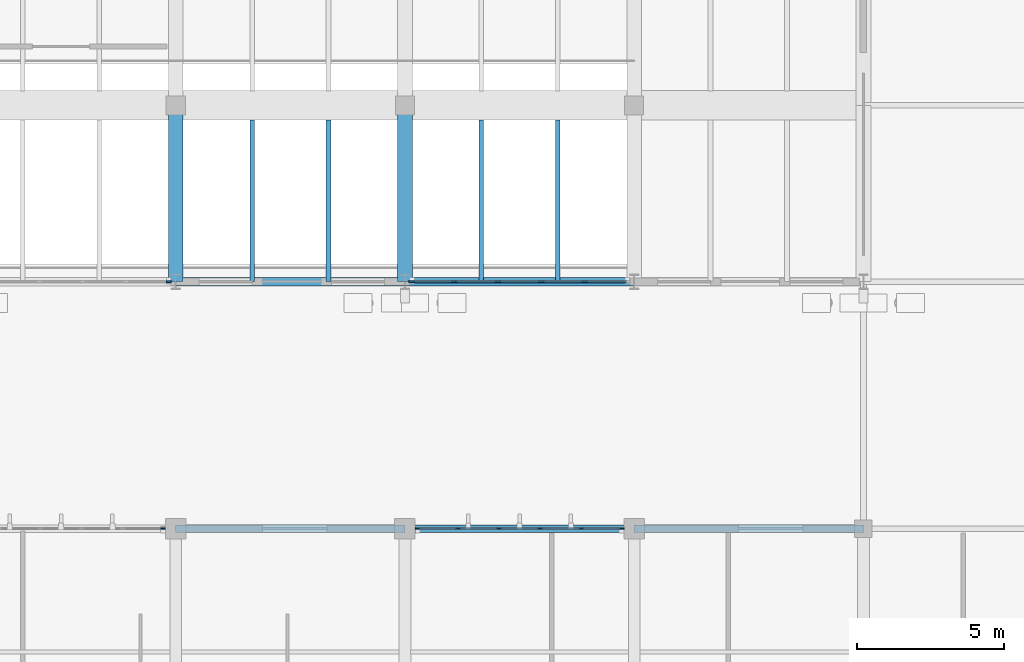
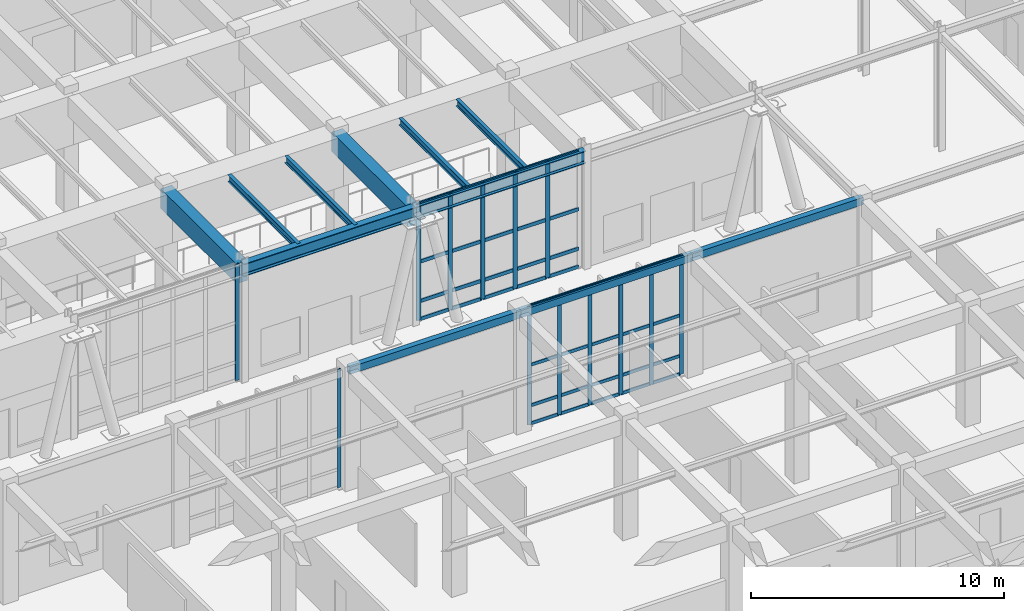
# One storey, part 23 of 110: 53 members, 11 beams, 4 elements without a shape of their own.
"""IFC4 building model written with IfcOpenShell, lengths in metres."""

from ifc_helpers import new_model, si_unit, direction, frame, origin, origin_2d, place, context, subcontext, project, spatial, rectangle, hollow_rectangle, i_section, extrude, material, material_profile, profile_set, type_object, element, aggregate, save


model = new_model("IFC4")

# Units and contexts
model_context = context("Model", 3, precision=1e-05, world=origin(), true_north=direction((0.0, 1.0)))
body_context = subcontext(model_context, "Body", "Model", "MODEL_VIEW")
ifc_project = project(units=[si_unit("LENGTHUNIT", "METRE"), si_unit("AREAUNIT", "SQUARE_METRE"), si_unit("VOLUMEUNIT", "CUBIC_METRE"), si_unit("PLANEANGLEUNIT", "RADIAN"), si_unit("MASSUNIT", "GRAM", prefix="KILO")], contexts=[model_context])

# Site, building, storey
site_placement = place(None, origin())
site = spatial("IfcSite", under=ifc_project, at=site_placement, CompositionType="ELEMENT")
building_placement = place(site_placement, origin())
building = spatial("IfcBuilding", under=site, at=building_placement, Name="Tizgana Railside Sports Hall", CompositionType="ELEMENT")
storey_placement = place(building_placement, origin())
storey = spatial("IfcBuildingStorey", under=building, at=storey_placement, Name="L00", CompositionType="ELEMENT", Elevation=0.0)

# Beams
ifc_material_1 = material(Name="Concrete C40/50", Category="concrete")
ifc_material_profile_1 = material_profile(ifc_material_1, rectangle(XDim=0.5, YDim=0.949951171875, at=origin_2d()), Name="RCB 500x950")
ifc_profile_set_1 = profile_set([ifc_material_profile_1], Name="Concrete C40/50")
beam_type_1 = type_object("IfcBeamType", Name="Concrete Beam RCB 500x950", PredefinedType="BEAM", material=ifc_profile_set_1)
for number, where, z_axis, x_axis, name in (
    (1, (31.199951171875, 40.800048828125, 5.160888671875), (0.0, 1.0, 0.0), (-1.0, 0.0, 0.0), "L00 BEM-0155"),
    (2, (39.0, 40.800048828125, 5.160888671875), (0.0, 1.0, 0.0), (-1.0, 0.0, 0.0), "L00 BEM-0161"),
):
    element("IfcBeam", number, at=place(storey_placement, frame(where, z_axis=z_axis, x_axis=x_axis)), inside=storey, type_object=beam_type_1, Name=name, PredefinedType="BEAM", context=body_context, shape_type="SweptSolid", body=[
        extrude(rectangle(XDim=0.5, YDim=0.949951171875, at=origin_2d()), origin(), (0.0, 0.0, 1.0), 6.0),
    ])

# Curtain wall, member
ifc_material_2 = material(Name="Anodised aluminium and glass", Category="aluminium")
curtain_wall_type_1 = type_object("IfcCurtainWallType", Name="Unitised Curtain Wall EastHall 1500", PredefinedType="NOTDEFINED", material=ifc_material_2)
curtain_wall_1_placement = place(storey_placement, origin())
curtain_wall_1 = element("IfcCurtainWall", 3, at=curtain_wall_1_placement, inside=storey, type_object=curtain_wall_type_1, Name="L00 Curtain Wall CW-0079", PredefinedType="NOTDEFINED")
ifc_material_3 = material(Name="Anodised aluminium", Category="aluminium")
ifc_material_profile_2 = material_profile(ifc_material_3, rectangle(XDim=0.06005859375, YDim=0.159912109375, at=origin_2d()), Name="Mullion 60x160")
ifc_profile_set_2 = profile_set([ifc_material_profile_2], Name="Anodised aluminium")
member_type_1 = type_object("IfcMemberType", Name="Mullion 60x160", PredefinedType="MULLION", material=ifc_profile_set_2)
member_1_placement = place(storey_placement, frame((30.764892578125, 32.39990234375, 0.044921875), z_axis=(0.0, 0.0, 1.0), x_axis=(0.0, 1.0, 0.0)))
member_1 = element("IfcMember", 4, at=member_1_placement, type_object=member_type_1, Name="CW-08 mullion 6", PredefinedType="MULLION", context=body_context, shape_type="SweptSolid", body=[
    extrude(rectangle(XDim=0.06005859375, YDim=0.159912109375, at=origin_2d()), origin(), (0.0, 0.0, 1.0), 5.705078125),
])
aggregate(curtain_wall_1, [member_1])

curtain_wall_type_2 = type_object("IfcCurtainWallType", Name="Unitised Curtain Wall Studio 1400", PredefinedType="NOTDEFINED", material=ifc_material_2)
curtain_wall_2_placement = place(storey_placement, origin())
curtain_wall_2 = element("IfcCurtainWall", 5, at=curtain_wall_2_placement, inside=storey, type_object=curtain_wall_type_2, Name="L00 Curtain Wall CW-0002", PredefinedType="NOTDEFINED")
ifc_material_profile_3 = material_profile(ifc_material_3, rectangle(XDim=0.06005859375, YDim=0.179931640625, at=origin_2d()), Name="Mullion 60x180")
ifc_profile_set_3 = profile_set([ifc_material_profile_3], Name="Anodised aluminium")
member_type_2 = type_object("IfcMemberType", Name="Mullion 60x180", PredefinedType="MULLION", material=ifc_profile_set_3)
member_2_placement = place(storey_placement, frame((30.965087890625, 40.800048828125, 0.044921875), z_axis=(0.0, 0.0, 1.0), x_axis=(0.0, -1.0, 0.0)))
member_2 = element("IfcMember", 6, at=member_2_placement, type_object=member_type_2, Name="CW-03 mullion 1", PredefinedType="MULLION", context=body_context, shape_type="SweptSolid", body=[
    extrude(rectangle(XDim=0.06005859375, YDim=0.179931640625, at=origin_2d()), origin(), (0.0, 0.0, 1.0), 5.60498046875),
])
aggregate(curtain_wall_2, [member_2])

# Curtain wall, members
curtain_wall_type_3 = type_object("IfcCurtainWallType", Name="Unitised Curtain Wall Concourse 1500", PredefinedType="NOTDEFINED", material=ifc_material_2)
curtain_wall_3_placement = place(storey_placement, origin())
curtain_wall_3 = element("IfcCurtainWall", 7, at=curtain_wall_3_placement, inside=storey, type_object=curtain_wall_type_3, Name="L00 Curtain Wall CW-0080", PredefinedType="NOTDEFINED")
member_3_placement = place(storey_placement, frame((39.43505859375, 32.39990234375, 0.044921875), z_axis=(0.0, 0.0, 1.0), x_axis=(0.0, 1.0, 0.0)))
member_3 = element("IfcMember", 8, at=member_3_placement, type_object=member_type_2, Name="CW-01 mullion 1", PredefinedType="MULLION", context=body_context, shape_type="SweptSolid", body=[
    extrude(rectangle(XDim=0.06005859375, YDim=0.179931640625, at=origin_2d()), origin(), (0.0, 0.0, 1.0), 5.705078125),
])
member_4_placement = place(storey_placement, frame((40.802978515625, 32.39990234375, 0.044921875), z_axis=(0.0, 0.0, 1.0), x_axis=(0.0, 1.0, 0.0)))
member_4 = element("IfcMember", 9, at=member_4_placement, type_object=member_type_2, Name="CW-01 mullion 2", PredefinedType="MULLION", context=body_context, shape_type="SweptSolid", body=[
    extrude(rectangle(XDim=0.06005859375, YDim=0.179931640625, at=origin_2d()), origin(), (0.0, 0.0, 1.0), 5.705078125),
])
member_5_placement = place(storey_placement, frame((42.200927734375, 32.39990234375, 0.044921875), z_axis=(0.0, 0.0, 1.0), x_axis=(0.0, 1.0, 0.0)))
member_5 = element("IfcMember", 10, at=member_5_placement, type_object=member_type_2, Name="CW-01 mullion 3", PredefinedType="MULLION", context=body_context, shape_type="SweptSolid", body=[
    extrude(rectangle(XDim=0.06005859375, YDim=0.179931640625, at=origin_2d()), origin(), (0.0, 0.0, 1.0), 5.705078125),
])
member_6_placement = place(storey_placement, frame((43.59912109375, 32.39990234375, 0.044921875), z_axis=(0.0, 0.0, 1.0), x_axis=(0.0, 1.0, 0.0)))
member_6 = element("IfcMember", 11, at=member_6_placement, type_object=member_type_2, Name="CW-01 mullion 4", PredefinedType="MULLION", context=body_context, shape_type="SweptSolid", body=[
    extrude(rectangle(XDim=0.06005859375, YDim=0.179931640625, at=origin_2d()), origin(), (0.0, 0.0, 1.0), 5.705078125),
])
member_7_placement = place(storey_placement, frame((44.9970703125, 32.39990234375, 0.044921875), z_axis=(0.0, 0.0, 1.0), x_axis=(0.0, 1.0, 0.0)))
member_7 = element("IfcMember", 12, at=member_7_placement, type_object=member_type_2, Name="CW-01 mullion 5", PredefinedType="MULLION", context=body_context, shape_type="SweptSolid", body=[
    extrude(rectangle(XDim=0.06005859375, YDim=0.179931640625, at=origin_2d()), origin(), (0.0, 0.0, 1.0), 5.705078125),
])
member_8_placement = place(storey_placement, frame((46.364990234375, 32.39990234375, 0.044921875), z_axis=(0.0, 0.0, 1.0), x_axis=(0.0, 1.0, 0.0)))
member_8 = element("IfcMember", 13, at=member_8_placement, type_object=member_type_2, Name="CW-01 mullion 6", PredefinedType="MULLION", context=body_context, shape_type="SweptSolid", body=[
    extrude(rectangle(XDim=0.06005859375, YDim=0.179931640625, at=origin_2d()), origin(), (0.0, 0.0, 1.0), 5.705078125),
])

curtain_wall_type_4 = type_object("IfcCurtainWallType", Name="Unitised Curtain Wall Climbing 1600", PredefinedType="NOTDEFINED", material=ifc_material_2)
curtain_wall_4_placement = place(storey_placement, origin())
curtain_wall_4 = element("IfcCurtainWall", 14, at=curtain_wall_4_placement, inside=storey, type_object=curtain_wall_type_4, Name="L00 Curtain Wall CW-0003", PredefinedType="NOTDEFINED")
ifc_material_profile_4 = material_profile(ifc_material_3, rectangle(XDim=0.06494140625, YDim=0.199951171875, at=origin_2d()), Name="Mullion 65x200")
ifc_profile_set_4 = profile_set([ifc_material_profile_4], Name="Anodised aluminium")
member_type_3 = type_object("IfcMemberType", Name="Mullion 65x200", PredefinedType="MULLION", material=ifc_profile_set_4)
member_9_placement = place(storey_placement, frame((45.116943359375, 40.800048828125, 0.044921875), z_axis=(0.0, 0.0, 1.0), x_axis=(0.0, -1.0, 0.0)))
member_9 = element("IfcMember", 15, at=member_9_placement, type_object=member_type_3, Name="CW-04 mullion 2", PredefinedType="MULLION", context=body_context, shape_type="SweptSolid", body=[
    extrude(rectangle(XDim=0.06494140625, YDim=0.199951171875, at=origin_2d()), origin(), (0.0, 0.0, 1.0), 5.60498046875),
])
member_10_placement = place(storey_placement, frame((43.638916015625, 40.800048828125, 0.044921875), z_axis=(0.0, 0.0, 1.0), x_axis=(0.0, -1.0, 0.0)))
member_10 = element("IfcMember", 16, at=member_10_placement, type_object=member_type_3, Name="CW-04 mullion 3", PredefinedType="MULLION", context=body_context, shape_type="SweptSolid", body=[
    extrude(rectangle(XDim=0.06494140625, YDim=0.199951171875, at=origin_2d()), origin(), (0.0, 0.0, 1.0), 5.60498046875),
])
member_11_placement = place(storey_placement, frame((42.160888671875, 40.800048828125, 0.044921875), z_axis=(0.0, 0.0, 1.0), x_axis=(0.0, -1.0, 0.0)))
member_11 = element("IfcMember", 17, at=member_11_placement, type_object=member_type_3, Name="CW-04 mullion 4", PredefinedType="MULLION", context=body_context, shape_type="SweptSolid", body=[
    extrude(rectangle(XDim=0.06494140625, YDim=0.199951171875, at=origin_2d()), origin(), (0.0, 0.0, 1.0), 5.60498046875),
])
member_12_placement = place(storey_placement, frame((40.68310546875, 40.800048828125, 0.044921875), z_axis=(0.0, 0.0, 1.0), x_axis=(0.0, -1.0, 0.0)))
member_12 = element("IfcMember", 18, at=member_12_placement, type_object=member_type_3, Name="CW-04 mullion 5", PredefinedType="MULLION", context=body_context, shape_type="SweptSolid", body=[
    extrude(rectangle(XDim=0.06494140625, YDim=0.199951171875, at=origin_2d()), origin(), (0.0, 0.0, 1.0), 5.60498046875),
])
member_13_placement = place(storey_placement, frame((39.237548828125, 40.800048828125, 0.044921875), z_axis=(0.0, 0.0, 1.0), x_axis=(0.0, -1.0, 0.0)))
member_13 = element("IfcMember", 19, at=member_13_placement, type_object=member_type_3, Name="CW-04 mullion 6", PredefinedType="MULLION", context=body_context, shape_type="SweptSolid", body=[
    extrude(rectangle(XDim=0.06494140625, YDim=0.199951171875, at=origin_2d()), origin(), (0.0, 0.0, 1.0), 5.60498046875),
])

# Beams
ifc_material_4 = material(Name="Steel S355J2", Category="steel")
ifc_material_profile_5 = material_profile(ifc_material_4, i_section(OverallWidth=0.300048828125, OverallDepth=0.60009765625, WebThickness=0.015380859375, FlangeThickness=0.030029296875, FilletRadius=0.027099609375, at=origin_2d()), Name="HEB 600")
ifc_profile_set_5 = profile_set([ifc_material_profile_5], Name="Steel S355J2")
beam_type_2 = type_object("IfcBeamType", Name="Steel Beam HEB 600", PredefinedType="BEAM", material=ifc_profile_set_5)
for number, where, z_axis, x_axis, name in (
    (20, (31.199951171875, 40.800048828125, 5.3359375), (1.0, 0.0, 0.0), (0.0, 1.0, 0.0), "L00 BEM-0094"),
    (21, (39.0, 40.800048828125, 5.3359375), (1.0, 0.0, 0.0), (0.0, 1.0, 0.0), "L00 BEM-0095"),
):
    element("IfcBeam", number, at=place(storey_placement, frame(where, z_axis=z_axis, x_axis=x_axis)), inside=storey, type_object=beam_type_2, Name=name, PredefinedType="BEAM", context=body_context, shape_type="SweptSolid", body=[
        extrude(i_section(OverallWidth=0.300048828125, OverallDepth=0.60009765625, WebThickness=0.015380859375, FlangeThickness=0.030029296875, FilletRadius=0.027099609375, at=origin_2d()), origin(), (0.0, 0.0, 1.0), 7.800048828125),
    ])
ifc_material_profile_6 = material_profile(ifc_material_4, i_section(OverallWidth=0.159912109375, OverallDepth=0.330078125, WebThickness=0.007568359375, FlangeThickness=0.011474609375, FilletRadius=0.01806640625, at=origin_2d()), Name="IPE 330")
ifc_profile_set_6 = profile_set([ifc_material_profile_6], Name="Steel S355J2")
beam_type_3 = type_object("IfcBeamType", Name="Steel Joist IPE 330", PredefinedType="JOIST", material=ifc_profile_set_6)
for number, where, z_axis, x_axis, name in (
    (22, (33.800048828125, 40.800048828125, 5.470947265625), (0.0, 1.0, 0.0), (-1.0, 0.0, 0.0), "L00 BEM-0218"),
    (23, (36.39990234375, 40.800048828125, 5.470947265625), (0.0, 1.0, 0.0), (-1.0, 0.0, 0.0), "L00 BEM-0223"),
    (24, (41.60009765625, 40.800048828125, 5.470947265625), (0.0, 1.0, 0.0), (-1.0, 0.0, 0.0), "L00 BEM-0228"),
    (25, (44.199951171875, 40.800048828125, 5.470947265625), (0.0, 1.0, 0.0), (-1.0, 0.0, 0.0), "L00 BEM-0233"),
):
    element("IfcBeam", number, at=place(storey_placement, frame(where, z_axis=z_axis, x_axis=x_axis)), inside=storey, type_object=beam_type_3, Name=name, PredefinedType="JOIST", context=body_context, shape_type="SweptSolid", body=[
        extrude(i_section(OverallWidth=0.159912109375, OverallDepth=0.330078125, WebThickness=0.007568359375, FlangeThickness=0.011474609375, FilletRadius=0.01806640625, at=origin_2d()), origin(), (0.0, 0.0, 1.0), 5.5048828125),
    ])
ifc_material_profile_7 = material_profile(ifc_material_4, hollow_rectangle(XDim=0.25, YDim=0.35009765625, WallThickness=0.011962890625, at=origin_2d()), Name="RHS 350x250x12")
ifc_profile_set_7 = profile_set([ifc_material_profile_7], Name="Steel S355J2")
beam_type_4 = type_object("IfcBeamType", Name="Steel Spandrel RHS 350x250x12", PredefinedType="SPANDREL", material=ifc_profile_set_7)
for number, where, z_axis, x_axis, name in (
    (26, (31.199951171875, 32.39990234375, 5.571044921875), (1.0, 0.0, 0.0), (0.0, 1.0, 0.0), "L00 BEM-0405"),
    (27, (39.0, 32.39990234375, 5.571044921875), (1.0, 0.0, 0.0), (0.0, 1.0, 0.0), "L00 BEM-0413"),
    (28, (46.800048828125, 32.39990234375, 5.571044921875), (1.0, 0.0, 0.0), (0.0, 1.0, 0.0), "L00 BEM-0420"),
):
    element("IfcBeam", number, at=place(storey_placement, frame(where, z_axis=z_axis, x_axis=x_axis)), inside=storey, type_object=beam_type_4, Name=name, PredefinedType="SPANDREL", context=body_context, shape_type="SweptSolid", body=[
        extrude(hollow_rectangle(XDim=0.25, YDim=0.35009765625, WallThickness=0.011962890625, at=origin_2d()), origin(), (0.0, 0.0, 1.0), 7.800048828125),
    ])

# Member
ifc_material_profile_8 = material_profile(ifc_material_3, rectangle(XDim=0.06005859375, YDim=0.14990234375, at=origin_2d()), Name="Transom 60x150")
ifc_profile_set_8 = profile_set([ifc_material_profile_8], Name="Anodised aluminium")
member_type_4 = type_object("IfcMemberType", Name="Transom 60x150", PredefinedType="USERDEFINED", material=ifc_profile_set_8)
member_14_placement = place(storey_placement, frame((39.465087890625, 32.39990234375, 0.074951171875), z_axis=(1.0, 0.0, 0.0), x_axis=(0.0, 1.0, 0.0)))
member_14 = element("IfcMember", 29, at=member_14_placement, type_object=member_type_4, Name="CW-01 transom 1.1", ObjectType="TRANSOM", PredefinedType="USERDEFINED", context=body_context, shape_type="SweptSolid", body=[
    extrude(rectangle(XDim=0.06005859375, YDim=0.14990234375, at=origin_2d()), origin(), (0.0, 0.0, 1.0), 1.307861328125),
])

member_15_placement = place(storey_placement, frame((39.465087890625, 32.39990234375, 0.945068359375), z_axis=(1.0, 0.0, 0.0), x_axis=(0.0, 1.0, 0.0)))
member_15 = element("IfcMember", 30, at=member_15_placement, type_object=member_type_4, Name="CW-01 transom 1.2", ObjectType="TRANSOM", PredefinedType="USERDEFINED", context=body_context, shape_type="SweptSolid", body=[
    extrude(rectangle(XDim=0.06005859375, YDim=0.14990234375, at=origin_2d()), origin(), (0.0, 0.0, 1.0), 1.307861328125),
])

member_16_placement = place(storey_placement, frame((39.465087890625, 32.39990234375, 2.8974609375), z_axis=(1.0, 0.0, 0.0), x_axis=(0.0, 1.0, 0.0)))
member_16 = element("IfcMember", 31, at=member_16_placement, type_object=member_type_4, Name="CW-01 transom 1.3", ObjectType="TRANSOM", PredefinedType="USERDEFINED", context=body_context, shape_type="SweptSolid", body=[
    extrude(rectangle(XDim=0.06005859375, YDim=0.14990234375, at=origin_2d()), origin(), (0.0, 0.0, 1.0), 1.307861328125),
])

member_17_placement = place(storey_placement, frame((39.465087890625, 32.39990234375, 5.719970703125), z_axis=(1.0, 0.0, 0.0), x_axis=(0.0, 1.0, 0.0)))
member_17 = element("IfcMember", 32, at=member_17_placement, type_object=member_type_4, Name="CW-01 transom 1.4", ObjectType="TRANSOM", PredefinedType="USERDEFINED", context=body_context, shape_type="SweptSolid", body=[
    extrude(rectangle(XDim=0.06005859375, YDim=0.14990234375, at=origin_2d()), origin(), (0.0, 0.0, 1.0), 1.307861328125),
])

member_18_placement = place(storey_placement, frame((40.8330078125, 32.39990234375, 0.074951171875), z_axis=(1.0, 0.0, 0.0), x_axis=(0.0, 1.0, 0.0)))
member_18 = element("IfcMember", 33, at=member_18_placement, type_object=member_type_4, Name="CW-01 transom 2.1", ObjectType="TRANSOM", PredefinedType="USERDEFINED", context=body_context, shape_type="SweptSolid", body=[
    extrude(rectangle(XDim=0.06005859375, YDim=0.14990234375, at=origin_2d()), origin(), (0.0, 0.0, 1.0), 1.337890625),
])

member_19_placement = place(storey_placement, frame((40.8330078125, 32.39990234375, 0.945068359375), z_axis=(1.0, 0.0, 0.0), x_axis=(0.0, 1.0, 0.0)))
member_19 = element("IfcMember", 34, at=member_19_placement, type_object=member_type_4, Name="CW-01 transom 2.2", ObjectType="TRANSOM", PredefinedType="USERDEFINED", context=body_context, shape_type="SweptSolid", body=[
    extrude(rectangle(XDim=0.06005859375, YDim=0.14990234375, at=origin_2d()), origin(), (0.0, 0.0, 1.0), 1.337890625),
])

member_20_placement = place(storey_placement, frame((40.8330078125, 32.39990234375, 2.8974609375), z_axis=(1.0, 0.0, 0.0), x_axis=(0.0, 1.0, 0.0)))
member_20 = element("IfcMember", 35, at=member_20_placement, type_object=member_type_4, Name="CW-01 transom 2.3", ObjectType="TRANSOM", PredefinedType="USERDEFINED", context=body_context, shape_type="SweptSolid", body=[
    extrude(rectangle(XDim=0.06005859375, YDim=0.14990234375, at=origin_2d()), origin(), (0.0, 0.0, 1.0), 1.337890625),
])

member_21_placement = place(storey_placement, frame((40.8330078125, 32.39990234375, 5.719970703125), z_axis=(1.0, 0.0, 0.0), x_axis=(0.0, 1.0, 0.0)))
member_21 = element("IfcMember", 36, at=member_21_placement, type_object=member_type_4, Name="CW-01 transom 2.4", ObjectType="TRANSOM", PredefinedType="USERDEFINED", context=body_context, shape_type="SweptSolid", body=[
    extrude(rectangle(XDim=0.06005859375, YDim=0.14990234375, at=origin_2d()), origin(), (0.0, 0.0, 1.0), 1.337890625),
])

member_22_placement = place(storey_placement, frame((42.23095703125, 32.39990234375, 0.074951171875), z_axis=(1.0, 0.0, 0.0), x_axis=(0.0, 1.0, 0.0)))
member_22 = element("IfcMember", 37, at=member_22_placement, type_object=member_type_4, Name="CW-01 transom 3.1", ObjectType="TRANSOM", PredefinedType="USERDEFINED", context=body_context, shape_type="SweptSolid", body=[
    extrude(rectangle(XDim=0.06005859375, YDim=0.14990234375, at=origin_2d()), origin(), (0.0, 0.0, 1.0), 1.338134765625),
])

member_23_placement = place(storey_placement, frame((42.23095703125, 32.39990234375, 0.945068359375), z_axis=(1.0, 0.0, 0.0), x_axis=(0.0, 1.0, 0.0)))
member_23 = element("IfcMember", 38, at=member_23_placement, type_object=member_type_4, Name="CW-01 transom 3.2", ObjectType="TRANSOM", PredefinedType="USERDEFINED", context=body_context, shape_type="SweptSolid", body=[
    extrude(rectangle(XDim=0.06005859375, YDim=0.14990234375, at=origin_2d()), origin(), (0.0, 0.0, 1.0), 1.338134765625),
])

member_24_placement = place(storey_placement, frame((42.23095703125, 32.39990234375, 2.8974609375), z_axis=(1.0, 0.0, 0.0), x_axis=(0.0, 1.0, 0.0)))
member_24 = element("IfcMember", 39, at=member_24_placement, type_object=member_type_4, Name="CW-01 transom 3.3", ObjectType="TRANSOM", PredefinedType="USERDEFINED", context=body_context, shape_type="SweptSolid", body=[
    extrude(rectangle(XDim=0.06005859375, YDim=0.14990234375, at=origin_2d()), origin(), (0.0, 0.0, 1.0), 1.338134765625),
])

member_25_placement = place(storey_placement, frame((42.23095703125, 32.39990234375, 5.719970703125), z_axis=(1.0, 0.0, 0.0), x_axis=(0.0, 1.0, 0.0)))
member_25 = element("IfcMember", 40, at=member_25_placement, type_object=member_type_4, Name="CW-01 transom 3.4", ObjectType="TRANSOM", PredefinedType="USERDEFINED", context=body_context, shape_type="SweptSolid", body=[
    extrude(rectangle(XDim=0.06005859375, YDim=0.14990234375, at=origin_2d()), origin(), (0.0, 0.0, 1.0), 1.338134765625),
])

member_26_placement = place(storey_placement, frame((43.62890625, 32.39990234375, 0.074951171875), z_axis=(1.0, 0.0, 0.0), x_axis=(0.0, 1.0, 0.0)))
member_26 = element("IfcMember", 41, at=member_26_placement, type_object=member_type_4, Name="CW-01 transom 4.1", ObjectType="TRANSOM", PredefinedType="USERDEFINED", context=body_context, shape_type="SweptSolid", body=[
    extrude(rectangle(XDim=0.06005859375, YDim=0.14990234375, at=origin_2d()), origin(), (0.0, 0.0, 1.0), 1.338134765625),
])

member_27_placement = place(storey_placement, frame((43.62890625, 32.39990234375, 0.945068359375), z_axis=(1.0, 0.0, 0.0), x_axis=(0.0, 1.0, 0.0)))
member_27 = element("IfcMember", 42, at=member_27_placement, type_object=member_type_4, Name="CW-01 transom 4.2", ObjectType="TRANSOM", PredefinedType="USERDEFINED", context=body_context, shape_type="SweptSolid", body=[
    extrude(rectangle(XDim=0.06005859375, YDim=0.14990234375, at=origin_2d()), origin(), (0.0, 0.0, 1.0), 1.338134765625),
])

member_28_placement = place(storey_placement, frame((43.62890625, 32.39990234375, 2.8974609375), z_axis=(1.0, 0.0, 0.0), x_axis=(0.0, 1.0, 0.0)))
member_28 = element("IfcMember", 43, at=member_28_placement, type_object=member_type_4, Name="CW-01 transom 4.3", ObjectType="TRANSOM", PredefinedType="USERDEFINED", context=body_context, shape_type="SweptSolid", body=[
    extrude(rectangle(XDim=0.06005859375, YDim=0.14990234375, at=origin_2d()), origin(), (0.0, 0.0, 1.0), 1.338134765625),
])

member_29_placement = place(storey_placement, frame((43.62890625, 32.39990234375, 5.719970703125), z_axis=(1.0, 0.0, 0.0), x_axis=(0.0, 1.0, 0.0)))
member_29 = element("IfcMember", 44, at=member_29_placement, type_object=member_type_4, Name="CW-01 transom 4.4", ObjectType="TRANSOM", PredefinedType="USERDEFINED", context=body_context, shape_type="SweptSolid", body=[
    extrude(rectangle(XDim=0.06005859375, YDim=0.14990234375, at=origin_2d()), origin(), (0.0, 0.0, 1.0), 1.338134765625),
])

member_30_placement = place(storey_placement, frame((45.027099609375, 32.39990234375, 0.074951171875), z_axis=(1.0, 0.0, 0.0), x_axis=(0.0, 1.0, 0.0)))
member_30 = element("IfcMember", 45, at=member_30_placement, type_object=member_type_4, Name="CW-01 transom 5.1", ObjectType="TRANSOM", PredefinedType="USERDEFINED", context=body_context, shape_type="SweptSolid", body=[
    extrude(rectangle(XDim=0.06005859375, YDim=0.14990234375, at=origin_2d()), origin(), (0.0, 0.0, 1.0), 1.307861328125),
])

member_31_placement = place(storey_placement, frame((45.027099609375, 32.39990234375, 0.945068359375), z_axis=(1.0, 0.0, 0.0), x_axis=(0.0, 1.0, 0.0)))
member_31 = element("IfcMember", 46, at=member_31_placement, type_object=member_type_4, Name="CW-01 transom 5.2", ObjectType="TRANSOM", PredefinedType="USERDEFINED", context=body_context, shape_type="SweptSolid", body=[
    extrude(rectangle(XDim=0.06005859375, YDim=0.14990234375, at=origin_2d()), origin(), (0.0, 0.0, 1.0), 1.307861328125),
])

member_32_placement = place(storey_placement, frame((45.027099609375, 32.39990234375, 2.8974609375), z_axis=(1.0, 0.0, 0.0), x_axis=(0.0, 1.0, 0.0)))
member_32 = element("IfcMember", 47, at=member_32_placement, type_object=member_type_4, Name="CW-01 transom 5.3", ObjectType="TRANSOM", PredefinedType="USERDEFINED", context=body_context, shape_type="SweptSolid", body=[
    extrude(rectangle(XDim=0.06005859375, YDim=0.14990234375, at=origin_2d()), origin(), (0.0, 0.0, 1.0), 1.307861328125),
])

member_33_placement = place(storey_placement, frame((45.027099609375, 32.39990234375, 5.719970703125), z_axis=(1.0, 0.0, 0.0), x_axis=(0.0, 1.0, 0.0)))
member_33 = element("IfcMember", 48, at=member_33_placement, type_object=member_type_4, Name="CW-01 transom 5.4", ObjectType="TRANSOM", PredefinedType="USERDEFINED", context=body_context, shape_type="SweptSolid", body=[
    extrude(rectangle(XDim=0.06005859375, YDim=0.14990234375, at=origin_2d()), origin(), (0.0, 0.0, 1.0), 1.307861328125),
])

aggregate(curtain_wall_3, [member_3, member_4, member_5, member_6, member_7, member_8, member_14, member_15, member_16, member_17, member_18, member_19, member_20, member_21, member_22, member_23, member_24, member_25, member_26, member_27, member_28, member_29, member_30, member_31, member_32, member_33])

ifc_material_profile_9 = material_profile(ifc_material_3, rectangle(XDim=0.06494140625, YDim=0.169921875, at=origin_2d()), Name="Transom 65x170")
ifc_profile_set_9 = profile_set([ifc_material_profile_9], Name="Anodised aluminium")
member_type_5 = type_object("IfcMemberType", Name="Transom 65x170", PredefinedType="USERDEFINED", material=ifc_profile_set_9)
member_34_placement = place(storey_placement, frame((46.530029296875, 40.800048828125, 0.077392578125), z_axis=(-1.0, 0.0, 0.0), x_axis=(0.0, -1.0, 0.0)))
member_34 = element("IfcMember", 49, at=member_34_placement, type_object=member_type_5, Name="CW-04 transom 1.1", ObjectType="TRANSOM", PredefinedType="USERDEFINED", context=body_context, shape_type="SweptSolid", body=[
    extrude(rectangle(XDim=0.06494140625, YDim=0.169921875, at=origin_2d()), origin(), (0.0, 0.0, 1.0), 1.380615234375),
])

member_35_placement = place(storey_placement, frame((46.530029296875, 40.800048828125, 0.945068359375), z_axis=(-1.0, 0.0, 0.0), x_axis=(0.0, -1.0, 0.0)))
member_35 = element("IfcMember", 50, at=member_35_placement, type_object=member_type_5, Name="CW-04 transom 1.2", ObjectType="TRANSOM", PredefinedType="USERDEFINED", context=body_context, shape_type="SweptSolid", body=[
    extrude(rectangle(XDim=0.06494140625, YDim=0.169921875, at=origin_2d()), origin(), (0.0, 0.0, 1.0), 1.380615234375),
])

member_36_placement = place(storey_placement, frame((46.530029296875, 40.800048828125, 2.847412109375), z_axis=(-1.0, 0.0, 0.0), x_axis=(0.0, -1.0, 0.0)))
member_36 = element("IfcMember", 51, at=member_36_placement, type_object=member_type_5, Name="CW-04 transom 1.3", ObjectType="TRANSOM", PredefinedType="USERDEFINED", context=body_context, shape_type="SweptSolid", body=[
    extrude(rectangle(XDim=0.06494140625, YDim=0.169921875, at=origin_2d()), origin(), (0.0, 0.0, 1.0), 1.380615234375),
])

member_37_placement = place(storey_placement, frame((46.530029296875, 40.800048828125, 5.617431640625), z_axis=(-1.0, 0.0, 0.0), x_axis=(0.0, -1.0, 0.0)))
member_37 = element("IfcMember", 52, at=member_37_placement, type_object=member_type_5, Name="CW-04 transom 1.4", ObjectType="TRANSOM", PredefinedType="USERDEFINED", context=body_context, shape_type="SweptSolid", body=[
    extrude(rectangle(XDim=0.06494140625, YDim=0.169921875, at=origin_2d()), origin(), (0.0, 0.0, 1.0), 1.380615234375),
])

member_38_placement = place(storey_placement, frame((45.08447265625, 40.800048828125, 0.077392578125), z_axis=(-1.0, 0.0, 0.0), x_axis=(0.0, -1.0, 0.0)))
member_38 = element("IfcMember", 53, at=member_38_placement, type_object=member_type_5, Name="CW-04 transom 2.1", ObjectType="TRANSOM", PredefinedType="USERDEFINED", context=body_context, shape_type="SweptSolid", body=[
    extrude(rectangle(XDim=0.06494140625, YDim=0.169921875, at=origin_2d()), origin(), (0.0, 0.0, 1.0), 1.4130859375),
])

member_39_placement = place(storey_placement, frame((45.08447265625, 40.800048828125, 0.945068359375), z_axis=(-1.0, 0.0, 0.0), x_axis=(0.0, -1.0, 0.0)))
member_39 = element("IfcMember", 54, at=member_39_placement, type_object=member_type_5, Name="CW-04 transom 2.2", ObjectType="TRANSOM", PredefinedType="USERDEFINED", context=body_context, shape_type="SweptSolid", body=[
    extrude(rectangle(XDim=0.06494140625, YDim=0.169921875, at=origin_2d()), origin(), (0.0, 0.0, 1.0), 1.4130859375),
])

member_40_placement = place(storey_placement, frame((45.08447265625, 40.800048828125, 2.847412109375), z_axis=(-1.0, 0.0, 0.0), x_axis=(0.0, -1.0, 0.0)))
member_40 = element("IfcMember", 55, at=member_40_placement, type_object=member_type_5, Name="CW-04 transom 2.3", ObjectType="TRANSOM", PredefinedType="USERDEFINED", context=body_context, shape_type="SweptSolid", body=[
    extrude(rectangle(XDim=0.06494140625, YDim=0.169921875, at=origin_2d()), origin(), (0.0, 0.0, 1.0), 1.4130859375),
])

member_41_placement = place(storey_placement, frame((45.08447265625, 40.800048828125, 5.617431640625), z_axis=(-1.0, 0.0, 0.0), x_axis=(0.0, -1.0, 0.0)))
member_41 = element("IfcMember", 56, at=member_41_placement, type_object=member_type_5, Name="CW-04 transom 2.4", ObjectType="TRANSOM", PredefinedType="USERDEFINED", context=body_context, shape_type="SweptSolid", body=[
    extrude(rectangle(XDim=0.06494140625, YDim=0.169921875, at=origin_2d()), origin(), (0.0, 0.0, 1.0), 1.4130859375),
])

member_42_placement = place(storey_placement, frame((43.6064453125, 40.800048828125, 0.077392578125), z_axis=(-1.0, 0.0, 0.0), x_axis=(0.0, -1.0, 0.0)))
member_42 = element("IfcMember", 57, at=member_42_placement, type_object=member_type_5, Name="CW-04 transom 3.1", ObjectType="TRANSOM", PredefinedType="USERDEFINED", context=body_context, shape_type="SweptSolid", body=[
    extrude(rectangle(XDim=0.06494140625, YDim=0.169921875, at=origin_2d()), origin(), (0.0, 0.0, 1.0), 1.412841796875),
])

member_43_placement = place(storey_placement, frame((43.6064453125, 40.800048828125, 0.945068359375), z_axis=(-1.0, 0.0, 0.0), x_axis=(0.0, -1.0, 0.0)))
member_43 = element("IfcMember", 58, at=member_43_placement, type_object=member_type_5, Name="CW-04 transom 3.2", ObjectType="TRANSOM", PredefinedType="USERDEFINED", context=body_context, shape_type="SweptSolid", body=[
    extrude(rectangle(XDim=0.06494140625, YDim=0.169921875, at=origin_2d()), origin(), (0.0, 0.0, 1.0), 1.412841796875),
])

member_44_placement = place(storey_placement, frame((43.6064453125, 40.800048828125, 2.847412109375), z_axis=(-1.0, 0.0, 0.0), x_axis=(0.0, -1.0, 0.0)))
member_44 = element("IfcMember", 59, at=member_44_placement, type_object=member_type_5, Name="CW-04 transom 3.3", ObjectType="TRANSOM", PredefinedType="USERDEFINED", context=body_context, shape_type="SweptSolid", body=[
    extrude(rectangle(XDim=0.06494140625, YDim=0.169921875, at=origin_2d()), origin(), (0.0, 0.0, 1.0), 1.412841796875),
])

member_45_placement = place(storey_placement, frame((43.6064453125, 40.800048828125, 5.617431640625), z_axis=(-1.0, 0.0, 0.0), x_axis=(0.0, -1.0, 0.0)))
member_45 = element("IfcMember", 60, at=member_45_placement, type_object=member_type_5, Name="CW-04 transom 3.4", ObjectType="TRANSOM", PredefinedType="USERDEFINED", context=body_context, shape_type="SweptSolid", body=[
    extrude(rectangle(XDim=0.06494140625, YDim=0.169921875, at=origin_2d()), origin(), (0.0, 0.0, 1.0), 1.412841796875),
])

member_46_placement = place(storey_placement, frame((42.12841796875, 40.800048828125, 0.077392578125), z_axis=(-1.0, 0.0, 0.0), x_axis=(0.0, -1.0, 0.0)))
member_46 = element("IfcMember", 61, at=member_46_placement, type_object=member_type_5, Name="CW-04 transom 4.1", ObjectType="TRANSOM", PredefinedType="USERDEFINED", context=body_context, shape_type="SweptSolid", body=[
    extrude(rectangle(XDim=0.06494140625, YDim=0.169921875, at=origin_2d()), origin(), (0.0, 0.0, 1.0), 1.412841796875),
])

member_47_placement = place(storey_placement, frame((42.12841796875, 40.800048828125, 0.945068359375), z_axis=(-1.0, 0.0, 0.0), x_axis=(0.0, -1.0, 0.0)))
member_47 = element("IfcMember", 62, at=member_47_placement, type_object=member_type_5, Name="CW-04 transom 4.2", ObjectType="TRANSOM", PredefinedType="USERDEFINED", context=body_context, shape_type="SweptSolid", body=[
    extrude(rectangle(XDim=0.06494140625, YDim=0.169921875, at=origin_2d()), origin(), (0.0, 0.0, 1.0), 1.412841796875),
])

member_48_placement = place(storey_placement, frame((42.12841796875, 40.800048828125, 2.847412109375), z_axis=(-1.0, 0.0, 0.0), x_axis=(0.0, -1.0, 0.0)))
member_48 = element("IfcMember", 63, at=member_48_placement, type_object=member_type_5, Name="CW-04 transom 4.3", ObjectType="TRANSOM", PredefinedType="USERDEFINED", context=body_context, shape_type="SweptSolid", body=[
    extrude(rectangle(XDim=0.06494140625, YDim=0.169921875, at=origin_2d()), origin(), (0.0, 0.0, 1.0), 1.412841796875),
])

member_49_placement = place(storey_placement, frame((42.12841796875, 40.800048828125, 5.617431640625), z_axis=(-1.0, 0.0, 0.0), x_axis=(0.0, -1.0, 0.0)))
member_49 = element("IfcMember", 64, at=member_49_placement, type_object=member_type_5, Name="CW-04 transom 4.4", ObjectType="TRANSOM", PredefinedType="USERDEFINED", context=body_context, shape_type="SweptSolid", body=[
    extrude(rectangle(XDim=0.06494140625, YDim=0.169921875, at=origin_2d()), origin(), (0.0, 0.0, 1.0), 1.412841796875),
])

member_50_placement = place(storey_placement, frame((40.650390625, 40.800048828125, 0.077392578125), z_axis=(-1.0, 0.0, 0.0), x_axis=(0.0, -1.0, 0.0)))
member_50 = element("IfcMember", 65, at=member_50_placement, type_object=member_type_5, Name="CW-04 transom 5.1", ObjectType="TRANSOM", PredefinedType="USERDEFINED", context=body_context, shape_type="SweptSolid", body=[
    extrude(rectangle(XDim=0.06494140625, YDim=0.169921875, at=origin_2d()), origin(), (0.0, 0.0, 1.0), 1.38037109375),
])

member_51_placement = place(storey_placement, frame((40.650390625, 40.800048828125, 0.945068359375), z_axis=(-1.0, 0.0, 0.0), x_axis=(0.0, -1.0, 0.0)))
member_51 = element("IfcMember", 66, at=member_51_placement, type_object=member_type_5, Name="CW-04 transom 5.2", ObjectType="TRANSOM", PredefinedType="USERDEFINED", context=body_context, shape_type="SweptSolid", body=[
    extrude(rectangle(XDim=0.06494140625, YDim=0.169921875, at=origin_2d()), origin(), (0.0, 0.0, 1.0), 1.38037109375),
])

member_52_placement = place(storey_placement, frame((40.650390625, 40.800048828125, 2.847412109375), z_axis=(-1.0, 0.0, 0.0), x_axis=(0.0, -1.0, 0.0)))
member_52 = element("IfcMember", 67, at=member_52_placement, type_object=member_type_5, Name="CW-04 transom 5.3", ObjectType="TRANSOM", PredefinedType="USERDEFINED", context=body_context, shape_type="SweptSolid", body=[
    extrude(rectangle(XDim=0.06494140625, YDim=0.169921875, at=origin_2d()), origin(), (0.0, 0.0, 1.0), 1.38037109375),
])

member_53_placement = place(storey_placement, frame((40.650390625, 40.800048828125, 5.617431640625), z_axis=(-1.0, 0.0, 0.0), x_axis=(0.0, -1.0, 0.0)))
member_53 = element("IfcMember", 68, at=member_53_placement, type_object=member_type_5, Name="CW-04 transom 5.4", ObjectType="TRANSOM", PredefinedType="USERDEFINED", context=body_context, shape_type="SweptSolid", body=[
    extrude(rectangle(XDim=0.06494140625, YDim=0.169921875, at=origin_2d()), origin(), (0.0, 0.0, 1.0), 1.38037109375),
])

aggregate(curtain_wall_4, [member_9, member_10, member_11, member_12, member_13, member_34, member_35, member_36, member_37, member_38, member_39, member_40, member_41, member_42, member_43, member_44, member_45, member_46, member_47, member_48, member_49, member_50, member_51, member_52, member_53])

save(model, "model.ifc")
